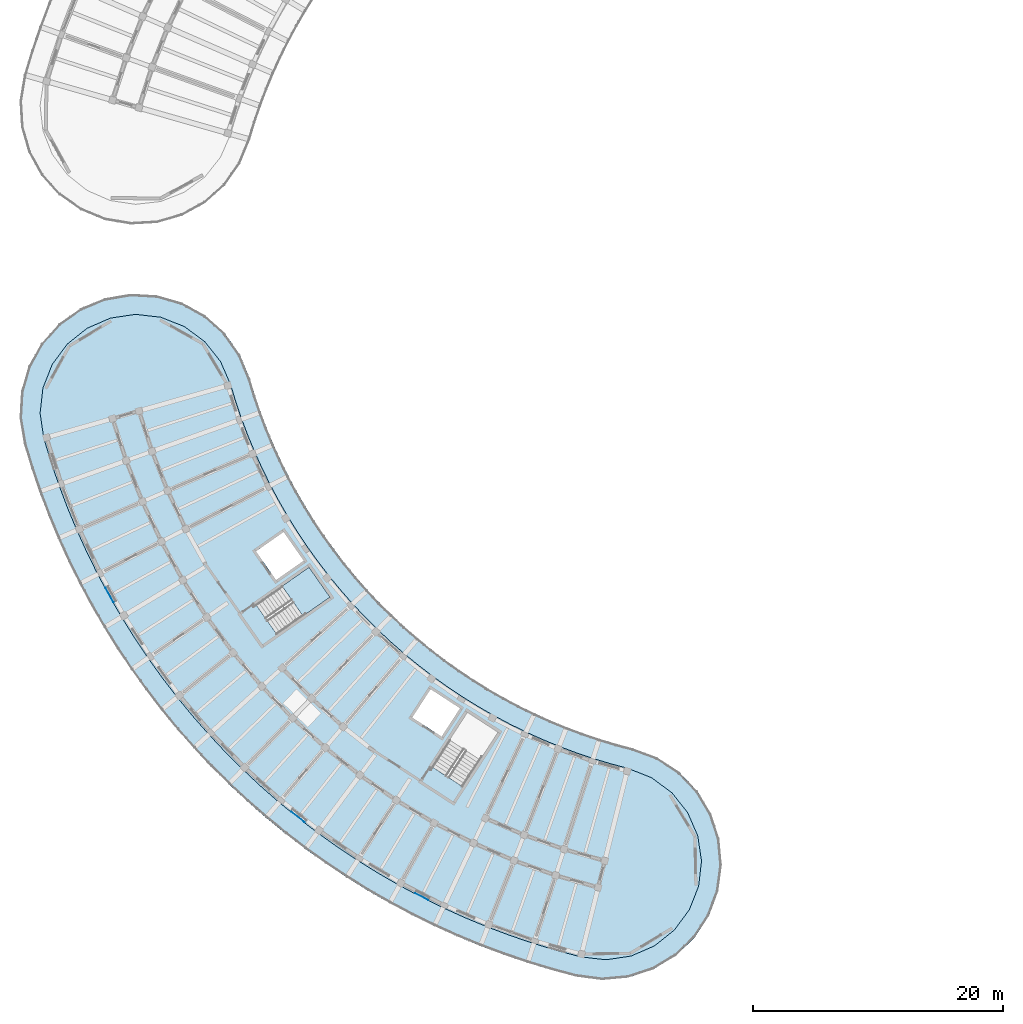
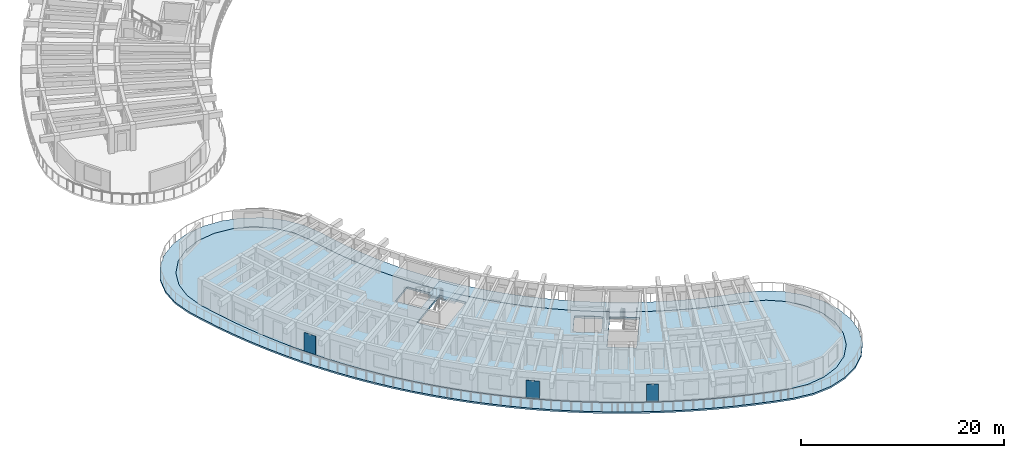
# One storey, part 30 of 81: 3 plates, 3 slabs, 1 element without a shape of its own.
"""IFC4 building model written with IfcOpenShell, lengths in metres."""

import ifcopenshell
import ifcopenshell.guid

model = None  # the IFC model being written
_history = None  # IfcOwnerHistory: only IFC2X3 demands one
_inside = {}  # id of a spatial element -> (the spatial element, [elements in it])
_under = {}  # id of a project, library or spatial element -> (it, [spatial elements below it])
_declared = {}  # id of a project -> (the project, [libraries it declares])
_typed = {}  # id of a type object -> (the type object, [elements of that type])
_made_of = {}  # id of a material, layer set ... -> (it, [elements and type objects made of it])


def new_model(schema):
    """Start an empty IFC model of exactly this schema.

    Asked for "IFC4X3", IfcOpenShell would pick the latest addendum, in which some entities
    have other attributes; the version numbers below select the first issue.
    IFC2X3 requires an IfcOwnerHistory on every rooted entity: one is made here for all.
    """
    global model, _history
    if schema == "IFC4X3":
        model = ifcopenshell.file(schema_version=(4, 3, 0, 0))
    else:
        model = ifcopenshell.file(schema=schema)
    _inside.clear()
    _under.clear()
    _declared.clear()
    _typed.clear()
    _made_of.clear()
    _history = None
    if model.schema == "IFC2X3":
        org = make("IfcOrganization", Name="unknown")
        user = make(
            "IfcPersonAndOrganization",
            ThePerson=make("IfcPerson", FamilyName="unknown"),
            TheOrganization=org,
        )
        app = make(
            "IfcApplication",
            ApplicationDeveloper=org,
            Version="unknown",
            ApplicationFullName="unknown",
            ApplicationIdentifier="unknown",
        )
        _history = make(
            "IfcOwnerHistory",
            OwningUser=user,
            OwningApplication=app,
            ChangeAction="ADDED",
            CreationDate=0,
        )
    return model


def make(cls, **values):
    """One entity of the class cls with the attributes given. An attribute that is None is left unset."""
    return model.create_entity(
        cls, **{name: value for name, value in values.items() if value is not None}
    )


def rooted(cls, **values):
    """An entity with a GlobalId (a new one), such as an element, a storey or a relation."""
    return make(cls, GlobalId=ifcopenshell.guid.new(), OwnerHistory=_history, **values)


def si_unit(unit_type, name, prefix=None):
    """IfcSIUnit, for example si_unit("LENGTHUNIT", "METRE", prefix="MILLI")."""
    return make("IfcSIUnit", UnitType=unit_type, Prefix=prefix, Name=name)


def assignment(units):
    """IfcUnitAssignment: the units of a project."""
    return None if units is None else make("IfcUnitAssignment", Units=units)


def point(xyz):
    """IfcCartesianPoint."""
    return None if xyz is None else make("IfcCartesianPoint", Coordinates=xyz)


def direction(xyz):
    """IfcDirection."""
    return None if xyz is None else make("IfcDirection", DirectionRatios=xyz)


def frame(location, z_axis=None, x_axis=None):
    """IfcAxis2Placement3D, a coordinate frame: its origin and axes. An axis left out is left unset."""
    return make(
        "IfcAxis2Placement3D",
        Location=point(location),
        Axis=direction(z_axis),
        RefDirection=direction(x_axis),
    )


def frame_2d(location, x_axis=None):
    """IfcAxis2Placement2D, a coordinate frame in the plane: its origin and x axis."""
    return make(
        "IfcAxis2Placement2D", Location=point(location), RefDirection=direction(x_axis)
    )


def origin():
    """The frame at (0, 0, 0) with its axes left unset."""
    return frame((0.0, 0.0, 0.0))


def origin_2d():
    """The frame at (0, 0) in the plane with its x axis left unset."""
    return frame_2d((0.0, 0.0))


def place(relative_to, where):
    """IfcLocalPlacement: puts the frame where relative to a parent placement (None: the world)."""
    return make(
        "IfcLocalPlacement", PlacementRelTo=relative_to, RelativePlacement=where
    )


def context(
    kind, dimensions, precision=None, world=None, true_north=None, identifier=None
):
    """IfcGeometricRepresentationContext, for example the 3D "Model" context."""
    return make(
        "IfcGeometricRepresentationContext",
        ContextIdentifier=identifier,
        ContextType=kind,
        CoordinateSpaceDimension=dimensions,
        Precision=precision,
        WorldCoordinateSystem=world,
        TrueNorth=true_north,
    )


def subcontext(parent, identifier, kind, view, scale=None):
    """IfcGeometricRepresentationSubContext, for example "Body" below "Model"."""
    return make(
        "IfcGeometricRepresentationSubContext",
        ContextIdentifier=identifier,
        ContextType=kind,
        ParentContext=parent,
        TargetScale=scale,
        TargetView=view,
    )


def project(units=None, contexts=None):
    """IfcProject with its units and contexts."""
    return rooted(
        "IfcProject",
        Name="project",
        RepresentationContexts=contexts,
        UnitsInContext=assignment(units),
    )


def spatial(cls, under=None, at=None, **own):
    """A site, building, storey or space (cls), placed at a placement, below another one or the project."""
    s = rooted(cls, ObjectPlacement=at, **own)
    if under is not None:
        _under.setdefault(under.id(), (under, []))[1].append(s)
    return s


def polyline(points):
    """IfcPolyline through the points."""
    return make("IfcPolyline", Points=[point(p) for p in points])


def profile(cls, at=None, kind="AREA", **sizes):
    """A parametric profile (cls). Its sizes go by their IFC names, for example OverallWidth=200.0."""
    return make(cls, ProfileType=kind, Position=at, **sizes)


def rectangle(**sizes):
    """IfcRectangleProfileDef."""
    return profile("IfcRectangleProfileDef", **sizes)


def outline(outer, holes=None, kind="AREA"):
    """IfcArbitraryClosedProfileDef: a profile drawn as a closed curve; with holes, ...WithVoids."""
    if holes is None:
        return make("IfcArbitraryClosedProfileDef", ProfileType=kind, OuterCurve=outer)
    return make(
        "IfcArbitraryProfileDefWithVoids",
        ProfileType=kind,
        OuterCurve=outer,
        InnerCurves=holes,
    )


def extrude(swept, where, along, depth):
    """IfcExtrudedAreaSolid: the profile swept, set in the frame where, extruded along a direction by depth."""
    return make(
        "IfcExtrudedAreaSolid",
        SweptArea=swept,
        Position=where,
        ExtrudedDirection=direction(along),
        Depth=depth,
    )


def shape(context_of_items, identifier, shape_type, items):
    """IfcShapeRepresentation: the items that make up one representation, for example the "Body"."""
    return make(
        "IfcShapeRepresentation",
        ContextOfItems=context_of_items,
        RepresentationIdentifier=identifier,
        RepresentationType=shape_type,
        Items=items,
    )


def material(Name=None, Category=None):
    """IfcMaterial."""
    return make("IfcMaterial", Name=Name, Category=Category)


def layer(
    of_material, thickness, ventilated=None, Name=None, Category=None, Priority=None
):
    """IfcMaterialLayer: one layer of a wall or slab, of a material (None: an air gap)."""
    return make(
        "IfcMaterialLayer",
        Material=of_material,
        LayerThickness=thickness,
        IsVentilated=ventilated,
        Name=Name,
        Category=Category,
        Priority=Priority,
    )


def layer_set(layers, Name=None):
    """IfcMaterialLayerSet."""
    return make("IfcMaterialLayerSet", MaterialLayers=layers, LayerSetName=Name)


def made_of(thing, what):
    """Note that an element or type object is made of a material, layer set ...; save() writes the relation."""
    if what is not None:
        _made_of.setdefault(what.id(), (what, []))[1].append(thing)
    return thing


def type_object(cls, material=None, **own):
    """A type object (cls), such as IfcWallType, which elements share."""
    return made_of(rooted(cls, **own), material)


def element(
    cls,
    number,
    at=None,
    inside=None,
    cuts=None,
    type_object=None,
    material=None,
    context=None,
    identifier="Body",
    shape_type=None,
    held_by="IfcProductDefinitionShape",
    body=None,
    shapes=None,
    **own,
):
    """One element of the class cls, such as IfcWall. Its Tag is "e" and its number.

    at: its placement. inside: the storey or other place that contains it. cuts: it is an
    opening in that element (IfcRelVoidsElement). A single representation is given by context,
    identifier, shape_type and body (its items); several are given by shapes. held_by: the class
    of the entity that holds the representations. save() writes the other relations.
    """
    e = rooted(cls, Tag="e%d" % number, ObjectPlacement=at, **own)
    if body is not None:
        shapes = [shape(context, identifier, shape_type, body)]
    if shapes is not None:
        e.Representation = make(held_by, Representations=shapes)
    if inside is not None:
        _inside.setdefault(inside.id(), (inside, []))[1].append(e)
    if cuts is not None:
        rooted(
            "IfcRelVoidsElement", RelatingBuildingElement=cuts, RelatedOpeningElement=e
        )
    if type_object is not None:
        _typed.setdefault(type_object.id(), (type_object, []))[1].append(e)
    return made_of(e, material)


def aggregate(whole, parts):
    """IfcRelAggregates: a whole, such as a stair, and the parts it consists of."""
    return rooted("IfcRelAggregates", RelatingObject=whole, RelatedObjects=parts)


def save(model, path):
    """Write the relations noted so far, then the file.

    IfcRelAggregates (storeys below a building ...), IfcRelContainedInSpatialStructure (elements
    in a storey), IfcRelDefinesByType, IfcRelAssociatesMaterial and IfcRelDeclares: one each for
    every whole, place, type object, material and project.
    """
    for whole, parts in _under.values():
        aggregate(whole, parts)
    for where, things in _inside.values():
        rooted(
            "IfcRelContainedInSpatialStructure",
            RelatedElements=things,
            RelatingStructure=where,
        )
    for kind, things in _typed.values():
        rooted("IfcRelDefinesByType", RelatedObjects=things, RelatingType=kind)
    for what, things in _made_of.values():
        rooted("IfcRelAssociatesMaterial", RelatedObjects=things, RelatingMaterial=what)
    for by, libraries in _declared.values():
        rooted("IfcRelDeclares", RelatingContext=by, RelatedDefinitions=libraries)
    model.write(path)


model = new_model("IFC4")

# Units and contexts
model_context = context("Model", 3, precision=1e-05, world=origin(), true_north=direction((0.0, 1.0)))
body_context = subcontext(model_context, "Body", "Model", "MODEL_VIEW")
ifc_project = project(units=[si_unit("LENGTHUNIT", "METRE"), si_unit("AREAUNIT", "SQUARE_METRE"), si_unit("VOLUMEUNIT", "CUBIC_METRE"), si_unit("PLANEANGLEUNIT", "RADIAN"), si_unit("MASSUNIT", "GRAM", prefix="KILO")], contexts=[model_context])

# Site, building, storey
site_placement = place(None, origin())
site = spatial("IfcSite", under=ifc_project, at=site_placement, CompositionType="ELEMENT")
building_placement = place(site_placement, origin())
building = spatial("IfcBuilding", under=site, at=building_placement, Name="Tanwirah Colonnade Gardens", CompositionType="ELEMENT")
storey_placement = place(building_placement, frame((0.0, 0.0, 18.919921875)))
storey = spatial("IfcBuildingStorey", under=building, at=storey_placement, Name="L05", CompositionType="ELEMENT", Elevation=18.919921875)

# Plates
ifc_material_1 = material(Name="Laser-cut bronze aluminium solar screen plate", Category="aluminium")
ifc_layer_1 = layer(ifc_material_1, 0.01611328125)
ifc_layer_set_1 = layer_set([ifc_layer_1], Name="Laser-cut bronze aluminium solar screen plate")
plate_type = type_object("IfcPlateType", Name="PLT-SCR16", PredefinedType="SHEET", material=ifc_layer_set_1)
plate_1_placement = place(storey_placement, frame((12.79541015625, 35.465087890625, 0.0), z_axis=(0.0, 0.0, 1.0), x_axis=(0.486717384336, -0.873559492985, 0.0)))
element("IfcPlate", 1, at=plate_1_placement, inside=storey, type_object=plate_type, Name="Perforated solar screen plate C-L05-03", PredefinedType="SHEET", context=body_context, shape_type="SweptSolid", body=[
    extrude(rectangle(XDim=1.320068359375, YDim=0.01611328125, at=origin_2d()), origin(), (0.0, 0.0, 1.0), 2.235107421875),
])
plate_2_placement = place(storey_placement, frame((27.880615234375, 17.697265625, 0.000244140625), z_axis=(0.0, 0.0, 1.0), x_axis=(0.783964634348, -0.620805486519, 0.0)))
element("IfcPlate", 2, at=plate_2_placement, inside=storey, type_object=plate_type, Name="Perforated solar screen plate C-L05-09", PredefinedType="SHEET", context=body_context, shape_type="SweptSolid", body=[
    extrude(rectangle(XDim=1.35009765625, YDim=0.01611328125, at=origin_2d()), origin(), (0.0, 0.0, 1.0), 2.14990234375),
])
plate_3_placement = place(storey_placement, frame((37.8046875, 11.31396484375, 0.000244140625), z_axis=(0.0, 0.0, 1.0), x_axis=(0.890014924435, -0.455931392078, 0.0)))
element("IfcPlate", 3, at=plate_3_placement, inside=storey, type_object=plate_type, Name="Perforated solar screen plate C-L05-12", PredefinedType="SHEET", context=body_context, shape_type="SweptSolid", body=[
    extrude(rectangle(XDim=1.179931640625, YDim=0.01611328125, at=origin_2d()), origin(), (0.0, 0.0, 1.0), 2.1298828125),
])

# Slab
ifc_material_2 = material(Name="White architectural precast concrete C40/50", Category="concrete")
ifc_layer_2 = layer(ifc_material_2, 0.199951171875)
ifc_layer_set_2 = layer_set([ifc_layer_2], Name="White architectural precast concrete C40/50")
slab_type_1 = type_object("IfcSlabType", Name="SL-BAL-200", PredefinedType="FLOOR", material=ifc_layer_set_2)
slab_1_placement = place(storey_placement, frame((0.0, 0.0, -0.199951171875)))
element("IfcSlab", 4, at=slab_1_placement, inside=storey, type_object=slab_type_1, Name="Block C L05 Continuous White Balcony Ribbon", PredefinedType="FLOOR", context=body_context, shape_type="SweptSolid", body=[
    extrude(outline(polyline([(23.2470703125, 54.70361328125), (22.03125, 56.421875), (20.46337890625, 57.826416015625), (18.62255859375, 58.846923828125), (16.6005859375, 59.43212890625), (14.4990234375, 59.552734375), (12.42333984375, 59.20263671875), (10.477783203125, 58.399658203125), (8.759521484375, 57.18359375), (7.35498046875, 55.615966796875), (6.33447265625, 53.77490234375), (5.749267578125, 51.7529296875), (5.62841796875, 49.651611328125), (5.978515625, 47.575927734375), (6.56396484375, 45.65380859375), (7.2119140625, 43.751953125), (7.921630859375, 41.872314453125), (8.692626953125, 40.016845703125), (9.523681640625, 38.1875), (10.414306640625, 36.386474609375), (11.363525390625, 34.61572265625), (12.369873046875, 32.876708984375), (13.432861328125, 31.171630859375), (14.55078125, 29.502197265625), (15.722900390625, 27.870361328125), (16.94775390625, 26.277587890625), (18.22412109375, 24.725830078125), (19.550537109375, 23.216796875), (20.92578125, 21.751708984375), (22.347900390625, 20.33251953125), (23.81591796875, 18.960693359375), (25.327880859375, 17.637451171875), (26.882568359375, 16.364501953125), (28.477783203125, 15.143310546875), (30.1123046875, 13.974609375), (31.7841796875, 12.860107421875), (33.491455078125, 11.801025390625), (35.232666015625, 10.79833984375), (37.005615234375, 9.85302734375), (38.80859375, 8.966552734375), (40.6396484375, 8.13916015625), (42.496826171875, 7.372314453125), (44.3779296875, 6.666748046875), (46.28125, 6.02294921875), (48.20458984375, 5.441650390625), (50.14599609375, 4.923828125), (52.232666015625, 4.646484375), (54.32861328125, 4.84033203125), (56.328857421875, 5.495849609375), (58.133056640625, 6.580078125), (59.65087890625, 8.038330078125), (60.80615234375, 9.798095703125), (61.540771484375, 11.7705078125), (61.818115234375, 13.857177734375), (61.624267578125, 15.953125), (60.96875, 17.953369140625), (59.884765625, 19.757568359375), (58.42626953125, 21.275390625), (56.666748046875, 22.4306640625), (54.694091796875, 23.165283203125), (53.34716796875, 23.524658203125), (52.0126953125, 23.927978515625), (50.692138671875, 24.37451171875), (49.386962890625, 24.8642578125), (48.0986328125, 25.396240234375), (46.828125, 25.97021484375), (45.5771484375, 26.58544921875), (44.34716796875, 27.2412109375), (43.13916015625, 27.93701171875), (41.95458984375, 28.671630859375), (40.794677734375, 29.445068359375), (39.66064453125, 30.255615234375), (38.5537109375, 31.10302734375), (37.47509765625, 31.986328125), (36.426025390625, 32.904296875), (35.407470703125, 33.856201171875), (34.420654296875, 34.8408203125), (33.466796875, 35.857177734375), (32.54638671875, 36.904296875), (31.660888671875, 37.98095703125), (30.81103515625, 39.0859375), (29.997802734375, 40.218017578125), (29.22216796875, 41.37646484375), (28.484619140625, 42.559326171875), (27.786376953125, 43.765869140625), (27.1279296875, 44.99462890625), (26.510009765625, 46.244140625), (25.933349609375, 47.51318359375), (25.3984375, 48.800537109375), (24.906005859375, 50.104736328125), (24.456298828125, 51.42431640625), (24.05029296875, 52.7578125), (23.2470703125, 54.70361328125)]), holes=[polyline([(21.68310546875, 54.173828125), (22.493408203125, 52.309814453125), (22.91455078125, 50.92724609375), (22.91455078125, 50.9267578125), (23.381103515625, 49.5576171875), (23.38134765625, 49.55712890625), (23.892333984375, 48.203857421875), (23.892578125, 48.203369140625), (24.447509765625, 46.86767578125), (24.44775390625, 46.866943359375), (25.046142578125, 45.55029296875), (25.04638671875, 45.549560546875), (25.6875, 44.253173828125), (25.687744140625, 44.25244140625), (26.37109375, 42.977783203125), (26.371337890625, 42.97705078125), (27.095947265625, 41.725341796875), (27.09619140625, 41.724853515625), (27.861328125, 40.497314453125), (27.86181640625, 40.496826171875), (28.66650390625, 39.294921875), (28.6669921875, 39.29443359375), (29.5107421875, 38.11962890625), (29.51123046875, 38.119140625), (30.392822265625, 36.97265625), (30.393310546875, 36.97216796875), (31.31201171875, 35.85498046875), (31.3125, 35.8544921875), (32.267333984375, 34.76806640625), (32.267822265625, 34.767578125), (33.257568359375, 33.713134765625), (33.258056640625, 33.712646484375), (34.281982421875, 32.69091796875), (34.282470703125, 32.690673828125), (35.339111328125, 31.702880859375), (35.339599609375, 31.70263671875), (36.42822265625, 30.75), (36.4287109375, 30.749755859375), (37.547607421875, 29.833251953125), (37.54833984375, 29.8330078125), (38.69677734375, 28.95361328125), (38.697265625, 28.953369140625), (39.873779296875, 28.112060546875), (39.874267578125, 28.111572265625), (41.077880859375, 27.309326171875), (41.078369140625, 27.30908203125), (42.307373046875, 26.546630859375), (42.30810546875, 26.54638671875), (43.5615234375, 25.824462890625), (43.56201171875, 25.82421875), (44.83837890625, 25.143798828125), (44.8388671875, 25.1435546875), (46.13671875, 24.505126953125), (46.137451171875, 24.5048828125), (47.45556640625, 23.909423828125), (47.4560546875, 23.9091796875), (48.79296875, 23.357177734375), (48.793701171875, 23.35693359375), (50.14794921875, 22.848876953125), (50.1484375, 22.8486328125), (51.5185546875, 22.38525390625), (51.519287109375, 22.385009765625), (52.90380859375, 21.966552734375), (52.904296875, 21.966552734375), (54.30078125, 21.593994140625), (56.19189453125, 20.84912109375), (57.824462890625, 19.640869140625), (59.088623046875, 18.051513671875), (59.8984375, 16.18896484375), (60.19873046875, 14.180419921875), (59.96875, 12.16259765625), (59.224365234375, 10.27294921875), (58.016357421875, 8.640380859375), (56.427001953125, 7.3759765625), (54.564453125, 6.566162109375), (52.555908203125, 6.265869140625), (50.536865234375, 6.49609375), (48.647705078125, 7.0), (46.775146484375, 7.565673828125), (44.922119140625, 8.192626953125), (43.090576171875, 8.879638671875), (41.282470703125, 9.626220703125), (39.499755859375, 10.431640625), (37.744384765625, 11.294921875), (36.01806640625, 12.21533203125), (34.322998046875, 13.19140625), (32.66064453125, 14.22265625), (31.03271484375, 15.3076171875), (29.44140625, 16.445556640625), (27.88818359375, 17.634521484375), (26.374755859375, 18.8740234375), (24.902587890625, 20.162109375), (23.473388671875, 21.497802734375), (22.088623046875, 22.879638671875), (20.749755859375, 24.305908203125), (19.458251953125, 25.775146484375), (18.215576171875, 27.2861328125), (17.023193359375, 28.836669921875), (15.8818359375, 30.425537109375), (14.79345703125, 32.051025390625), (13.758544921875, 33.7109375), (12.778564453125, 35.404052734375), (11.8544921875, 37.12841796875), (10.987548828125, 38.8818359375), (10.17822265625, 40.662841796875), (9.427490234375, 42.46923828125), (8.736572265625, 44.29931640625), (8.105712890625, 46.151123046875), (7.5361328125, 48.021240234375), (7.23583984375, 50.031005859375), (7.465576171875, 52.049072265625), (8.2099609375, 53.9384765625), (9.41796875, 55.5712890625), (11.007568359375, 56.83544921875), (12.869873046875, 57.645263671875), (14.878662109375, 57.945556640625), (16.896484375, 57.715576171875), (18.7861328125, 56.97119140625), (20.418701171875, 55.76318359375), (21.68310546875, 54.173828125)])]), origin(), (0.0, 0.0, 1.0), 0.199951171875),
])

# Stair, slab
ifc_material_3 = material(Name="Precast concrete C40/50", Category="concrete")
stair_type = type_object("IfcStairType", Name="ST-RES168", PredefinedType="HALF_TURN_STAIR", material=ifc_material_3)
stair_placement = place(storey_placement, origin())
stair = element("IfcStair", 5, at=stair_placement, inside=storey, type_object=stair_type, Name="L05 Block C Core 1 Exit Stair", PredefinedType="HALF_TURN_STAIR")
ifc_layer_3 = layer(ifc_material_3, 0.205078125)
ifc_layer_set_3 = layer_set([ifc_layer_3], Name="Precast concrete C40/50")
slab_type_2 = type_object("IfcSlabType", Name="SL-LND-205", PredefinedType="LANDING", material=ifc_layer_set_3)
slab_2_placement = place(storey_placement, frame((0.0, 0.0, 1.47509765625)))
slab_2 = element("IfcSlab", 6, at=slab_2_placement, type_object=slab_type_2, Name="ST-C1 landing 1", PredefinedType="LANDING", context=body_context, shape_type="SweptSolid", body=[
    extrude(outline(polyline([(28.290283203125, 33.79052734375), (30.448974609375, 35.3017578125), (28.77392578125, 37.69384765625), (26.615478515625, 36.182373046875), (28.290283203125, 33.79052734375)])), origin(), (0.0, 0.0, 1.0), 0.205078125),
])
aggregate(stair, [slab_2])

# Slab
ifc_layer_4 = layer(ifc_material_3, 0.25)
ifc_layer_set_4 = layer_set([ifc_layer_4], Name="Precast concrete C40/50")
slab_type_3 = type_object("IfcSlabType", Name="SL-RES-250", PredefinedType="FLOOR", material=ifc_layer_set_4)
slab_3_placement = place(storey_placement, frame((0.0, 0.0, -0.25)))
element("IfcSlab", 7, at=slab_3_placement, inside=storey, type_object=slab_type_3, Name="Block C L05 Precast Composite Floor Slab", PredefinedType="FLOOR", context=body_context, shape_type="SweptSolid", body=[
    extrude(outline(polyline([(23.39990234375, 49.56396484375), (22.93359375, 50.93310546875), (22.51220703125, 52.31689453125), (21.7001953125, 54.18408203125), (20.4326171875, 55.777587890625), (18.7958984375, 56.98876953125), (16.9013671875, 57.735107421875), (14.878173828125, 57.965576171875), (12.864501953125, 57.664794921875), (10.9970703125, 56.852783203125), (9.403564453125, 55.585205078125), (8.1923828125, 53.948486328125), (7.446044921875, 52.053955078125), (7.215576171875, 50.03076171875), (7.5166015625, 48.016845703125), (8.086669921875, 46.14501953125), (8.7177734375, 44.29248046875), (9.408935546875, 42.4619140625), (10.159912109375, 40.65478515625), (10.969482421875, 38.873291015625), (11.836669921875, 37.119140625), (12.76123046875, 35.394287109375), (13.741455078125, 33.70068359375), (14.776611328125, 32.0400390625), (15.865478515625, 30.414306640625), (17.007080078125, 28.82470703125), (18.199951171875, 27.273681640625), (19.443115234375, 25.76220703125), (20.73486328125, 24.29248046875), (22.07421875, 22.86572265625), (23.45947265625, 21.4833984375), (24.88916015625, 20.1474609375), (26.36181640625, 18.858642578125), (27.875732421875, 17.618896484375), (29.4296875, 16.429443359375), (31.021484375, 15.291259765625), (32.649658203125, 14.205810546875), (34.312744140625, 13.17431640625), (36.00830078125, 12.19775390625), (37.735107421875, 11.277099609375), (39.4912109375, 10.41357421875), (41.2744140625, 9.60791015625), (43.083251953125, 8.861083984375), (44.91552734375, 8.173828125), (46.76904296875, 7.546630859375), (48.642333984375, 6.980712890625), (50.532958984375, 6.476318359375), (52.55615234375, 6.245849609375), (54.570068359375, 6.546875), (56.437255859375, 7.358642578125), (58.031005859375, 8.626220703125), (59.2421875, 10.26318359375), (59.98828125, 12.15771484375), (60.218994140625, 14.1806640625), (59.91796875, 16.194580078125), (59.10595703125, 18.06201171875), (57.83837890625, 19.655517578125), (56.20166015625, 20.86669921875), (54.30712890625, 21.613037109375), (52.90966796875, 21.98583984375), (51.52490234375, 22.404052734375), (50.15478515625, 22.867431640625), (48.800537109375, 23.37548828125), (47.4638671875, 23.927490234375), (46.145751953125, 24.523193359375), (44.84765625, 25.161376953125), (43.571533203125, 25.841796875), (42.318115234375, 26.563720703125), (41.0888671875, 27.326171875), (39.885498046875, 28.12841796875), (38.708740234375, 28.969482421875), (37.560302734375, 29.848876953125), (36.44140625, 30.76513671875), (35.352783203125, 31.717529296875), (34.296142578125, 32.705078125), (33.272216796875, 33.726806640625), (32.282470703125, 34.781494140625), (31.327392578125, 35.86767578125), (30.40869140625, 36.98486328125), (29.52685546875, 38.13134765625), (28.68310546875, 39.30615234375), (27.87841796875, 40.5078125), (27.11328125, 41.7353515625), (26.388671875, 42.987060546875), (25.705322265625, 44.261962890625), (25.064208984375, 45.55859375), (24.466064453125, 46.875244140625), (23.910888671875, 48.2109375), (23.39990234375, 49.56396484375)]), holes=[polyline([(24.5185546875, 34.71044921875), (28.775634765625, 37.69140625), (30.447021484375, 35.30419921875), (26.18994140625, 32.323486328125), (24.5185546875, 34.71044921875)]), polyline([(26.737060546875, 40.515869140625), (28.343017578125, 38.22216796875), (26.13134765625, 36.673583984375), (24.525390625, 38.967041015625), (26.737060546875, 40.515869140625)]), polyline([(43.900146484375, 24.486572265625), (41.069580078125, 20.1279296875), (38.625732421875, 21.715087890625), (41.4560546875, 26.073486328125), (43.900146484375, 24.486572265625)]), polyline([(39.385498046875, 24.13916015625), (37.037353515625, 25.664306640625), (38.5078125, 27.9287109375), (40.856201171875, 26.403564453125), (39.385498046875, 24.13916015625)])]), origin(), (0.0, 0.0, 1.0), 0.25),
])

save(model, "model.ifc")
